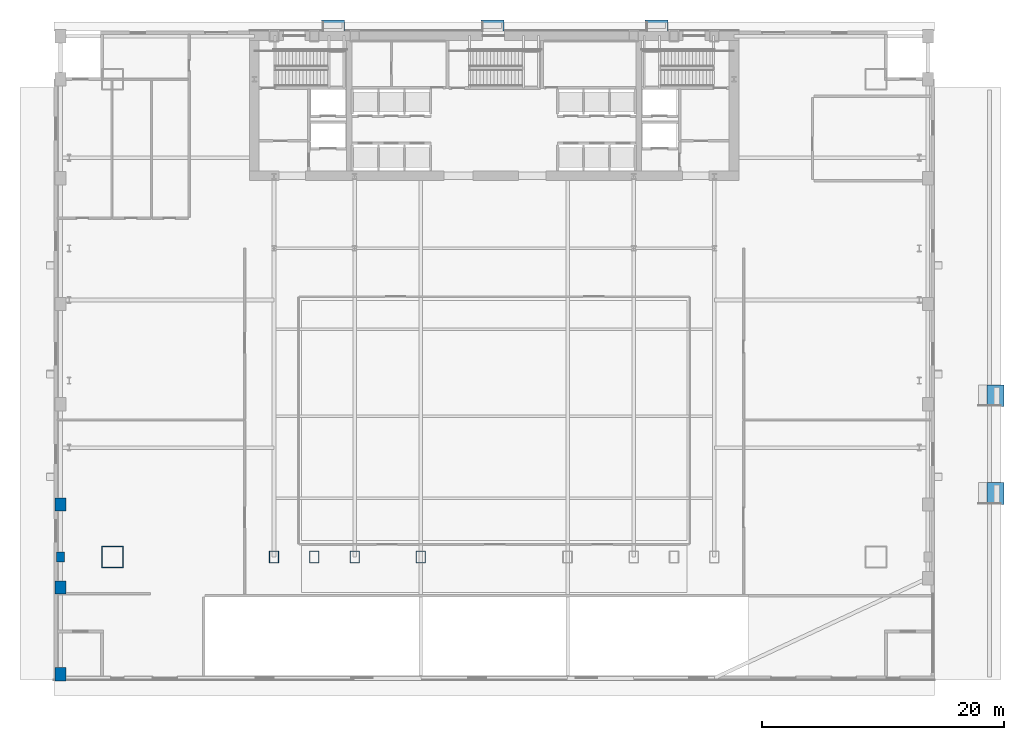
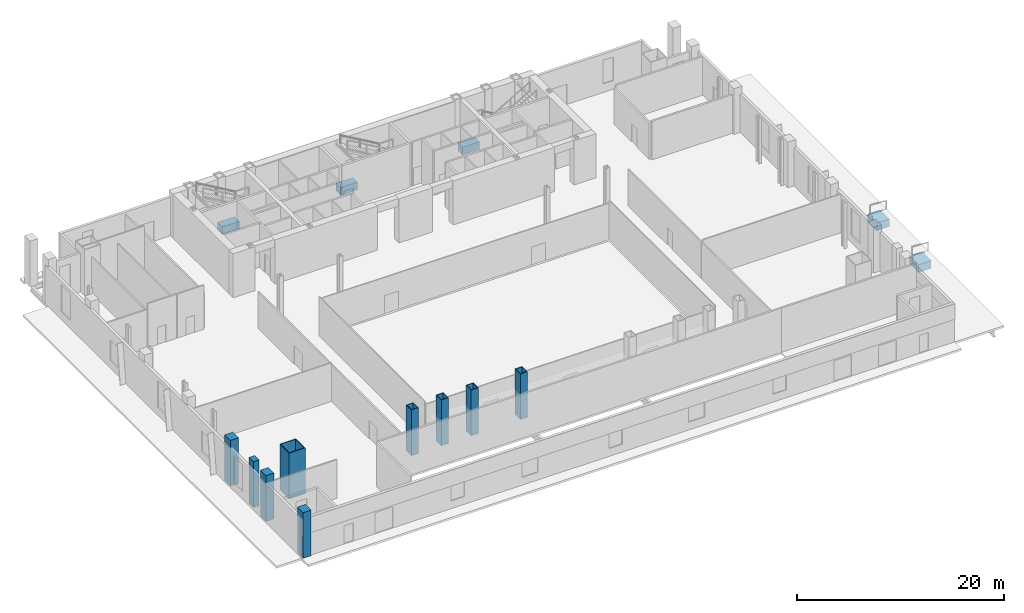
# One storey, part 1 of 16: 9 columns, 5 footings.
"""IFC4 building model written with IfcOpenShell, lengths in metres."""

from ifc_helpers import new_model, si_unit, direction, frame, origin, origin_2d, place, context, subcontext, project, spatial, polyline, rectangle, hollow_rectangle, outline, extrude, material, layer, layer_set, material_profile, profile_set, type_object, element, save


model = new_model("IFC4")

# Units and contexts
model_context = context("Model", 3, precision=1e-05, world=origin(), true_north=direction((0.0, 1.0)))
body_context = subcontext(model_context, "Body", "Model", "MODEL_VIEW")
ifc_project = project(units=[si_unit("LENGTHUNIT", "METRE"), si_unit("AREAUNIT", "SQUARE_METRE"), si_unit("VOLUMEUNIT", "CUBIC_METRE"), si_unit("PLANEANGLEUNIT", "RADIAN"), si_unit("MASSUNIT", "GRAM", prefix="KILO")], contexts=[model_context])

# Site, building, storey
site_placement = place(None, origin())
site = spatial("IfcSite", under=ifc_project, at=site_placement, CompositionType="ELEMENT")
building_placement = place(site_placement, origin())
building = spatial("IfcBuilding", under=site, at=building_placement, Name="Khoronbel Lancet Exchange", CompositionType="ELEMENT")
storey_placement = place(building_placement, origin())
storey = spatial("IfcBuildingStorey", under=building, at=storey_placement, Name="L00", CompositionType="ELEMENT", Elevation=0.0)

# Footings
ifc_material_1 = material(Name="Concrete C50/60", Category="concrete")
ifc_layer = layer(ifc_material_1, 0.89990234375, Name="Concrete C50/60")
ifc_layer_set = layer_set([ifc_layer], Name="Concrete C50/60")
footing_type = type_object("IfcFootingType", Name="FT-PAD1", PredefinedType="PAD_FOOTING", material=ifc_layer_set)
footing_1_placement = place(storey_placement, frame((0.0, 0.0, -2.1201171875)))
element("IfcFooting", 1, at=footing_1_placement, inside=storey, type_object=footing_type, Name="Accessible threshold ramp pad footing PF1", PredefinedType="PAD_FOOTING", context=body_context, shape_type="SweptSolid", body=[
    extrude(outline(polyline([(77.25, 14.5), (78.64990234375, 14.5), (78.64990234375, 16.300048828125), (77.25, 16.300048828125), (77.25, 14.5)])), origin(), (0.0, 0.0, 1.0), 0.900146484375),
])
footing_2_placement = place(storey_placement, frame((0.0, 0.0, -2.1201171875)))
element("IfcFooting", 2, at=footing_2_placement, inside=storey, type_object=footing_type, Name="Accessible threshold ramp pad footing PF2", PredefinedType="PAD_FOOTING", context=body_context, shape_type="SweptSolid", body=[
    extrude(outline(polyline([(77.25, 22.60009765625), (78.64990234375, 22.60009765625), (78.64990234375, 24.39990234375), (77.25, 24.39990234375), (77.25, 22.60009765625)])), origin(), (0.0, 0.0, 1.0), 0.900146484375),
])
footing_3_placement = place(storey_placement, frame((0.0, 0.0, -2.1201171875)))
element("IfcFooting", 3, at=footing_3_placement, inside=storey, type_object=footing_type, Name="Accessible threshold ramp pad footing PF3", PredefinedType="PAD_FOOTING", context=body_context, shape_type="SweptSolid", body=[
    extrude(outline(polyline([(22.14990234375, 53.699951171875), (24.050048828125, 53.699951171875), (24.050048828125, 54.60009765625), (22.14990234375, 54.60009765625), (22.14990234375, 53.699951171875)])), origin(), (0.0, 0.0, 1.0), 0.900146484375),
])
footing_4_placement = place(storey_placement, frame((0.0, 0.0, -2.1201171875)))
element("IfcFooting", 4, at=footing_4_placement, inside=storey, type_object=footing_type, Name="Accessible threshold ramp pad footing PF4", PredefinedType="PAD_FOOTING", context=body_context, shape_type="SweptSolid", body=[
    extrude(outline(polyline([(35.35009765625, 53.699951171875), (37.25, 53.699951171875), (37.25, 54.60009765625), (35.35009765625, 54.60009765625), (35.35009765625, 53.699951171875)])), origin(), (0.0, 0.0, 1.0), 0.900146484375),
])
footing_5_placement = place(storey_placement, frame((0.0, 0.0, -2.1201171875)))
element("IfcFooting", 5, at=footing_5_placement, inside=storey, type_object=footing_type, Name="Accessible threshold ramp pad footing PF5", PredefinedType="PAD_FOOTING", context=body_context, shape_type="SweptSolid", body=[
    extrude(outline(polyline([(48.949951171875, 53.699951171875), (50.85009765625, 53.699951171875), (50.85009765625, 54.60009765625), (48.949951171875, 54.60009765625), (48.949951171875, 53.699951171875)])), origin(), (0.0, 0.0, 1.0), 0.900146484375),
])

# Columns
ifc_material_2 = material(Name="Steel S460", Category="steel")
ifc_material_profile_1 = material_profile(ifc_material_2, hollow_rectangle(XDim=0.800048828125, YDim=1.0, WallThickness=0.054931640625, at=origin_2d()), Name="BOX 1000x800x55")
ifc_profile_set_1 = profile_set([ifc_material_profile_1], Name="Steel S460")
column_type_1 = type_object("IfcColumnType", Name="COL-EC1", PredefinedType="COLUMN", material=ifc_profile_set_1)
for number, where, z_axis, x_axis, name in (
    (6, (18.22509765625, 10.14990234375, 0.0), (0.0, 0.0, 1.0), (1.0, 0.0, 0.0), "Structural column SC-W1 L00"),
    (7, (21.5625, 10.14990234375, 0.0), (0.0, 0.0, 1.0), (1.0, 0.0, 0.0), "Structural column SC-WM L00"),
    (8, (24.89990234375, 10.14990234375, 0.0), (0.0, 0.0, 1.0), (1.0, 0.0, 0.0), "Structural column SC-W2 L00"),
    (9, (30.375, 10.14990234375, 0.0), (0.0, 0.0, 1.0), (1.0, 0.0, 0.0), "Structural column SC-C1 L00"),
):
    element("IfcColumn", number, at=place(storey_placement, frame(where, z_axis=z_axis, x_axis=x_axis)), inside=storey, type_object=column_type_1, Name=name, PredefinedType="COLUMN", context=body_context, shape_type="SweptSolid", body=[
        extrude(hollow_rectangle(XDim=0.800048828125, YDim=1.0, WallThickness=0.054931640625, at=origin_2d()), origin(), (0.0, 0.0, 1.0), 5.39990234375),
    ])
ifc_material_profile_2 = material_profile(ifc_material_2, hollow_rectangle(XDim=1.800048828125, YDim=1.800048828125, WallThickness=0.080078125, at=origin_2d()), Name="BOX 1800x1800x80")
ifc_profile_set_2 = profile_set([ifc_material_profile_2], Name="Steel S460")
column_type_2 = type_object("IfcColumnType", Name="COL-MC1", PredefinedType="COLUMN", material=ifc_profile_set_2)
column_1_placement = place(storey_placement, frame((4.85009765625, 10.14990234375, 0.0), z_axis=(0.0, 0.0, 1.0), x_axis=(1.0, 0.0, 0.0)))
element("IfcColumn", 10, at=column_1_placement, inside=storey, type_object=column_type_2, Name="Structural column MC-SW L00", PredefinedType="COLUMN", context=body_context, shape_type="SweptSolid", body=[
    extrude(hollow_rectangle(XDim=1.800048828125, YDim=1.800048828125, WallThickness=0.080078125, at=origin_2d()), origin(), (0.0, 0.0, 1.0), 5.39990234375),
])
ifc_material_3 = material(Name="Concrete C60/75", Category="concrete")
ifc_material_profile_3 = material_profile(ifc_material_3, rectangle(XDim=0.89990234375, YDim=1.10009765625, at=origin_2d()), Name="RC 900x1100")
ifc_profile_set_3 = profile_set([ifc_material_profile_3], Name="Concrete C60/75")
column_type_3 = type_object("IfcColumnType", Name="COL-PIL1", PredefinedType="PILASTER", material=ifc_profile_set_3)
for number, where, z_axis, x_axis, name in (
    (11, (0.550048828125, 7.6201171875, 0.0), (0.0, 0.0, 1.0), (1.0, 0.0, 0.0), "Podium Gothic colonnade pilaster SWP L00"),
    (12, (0.550048828125, 14.5, 0.0), (0.0, 0.0, 1.0), (1.0, 0.0, 0.0), "Podium Gothic colonnade pilaster W1 L00"),
    (13, (0.550048828125, 0.449951171875, 0.0), (0.0, 0.0, 1.0), (1.0, 0.0, 0.0), "Podium Gothic colonnade pilaster S0W L00"),
):
    element("IfcColumn", number, at=place(storey_placement, frame(where, z_axis=z_axis, x_axis=x_axis)), inside=storey, type_object=column_type_3, Name=name, PredefinedType="PILASTER", context=body_context, shape_type="SweptSolid", body=[
        extrude(rectangle(XDim=0.89990234375, YDim=1.10009765625, at=origin_2d()), origin(), (0.0, 0.0, 1.0), 5.39990234375),
    ])
ifc_material_profile_4 = material_profile(ifc_material_3, rectangle(XDim=0.64990234375, YDim=0.85009765625, at=origin_2d()), Name="RC 650x850")
ifc_profile_set_4 = profile_set([ifc_material_profile_4], Name="Concrete C60/75")
column_type_4 = type_object("IfcColumnType", Name="COL-PIL3", PredefinedType="PILASTER", material=ifc_profile_set_4)
column_2_placement = place(storey_placement, frame((0.550048828125, 10.14990234375, 0.0), z_axis=(0.0, 0.0, 1.0), x_axis=(1.0, 0.0, 0.0)))
element("IfcColumn", 14, at=column_2_placement, inside=storey, type_object=column_type_4, Name="Podium Gothic colonnade pilaster WMC L00", PredefinedType="PILASTER", context=body_context, shape_type="SweptSolid", body=[
    extrude(rectangle(XDim=0.64990234375, YDim=0.85009765625, at=origin_2d()), origin(), (0.0, 0.0, 1.0), 5.39990234375),
])

save(model, "model.ifc")
